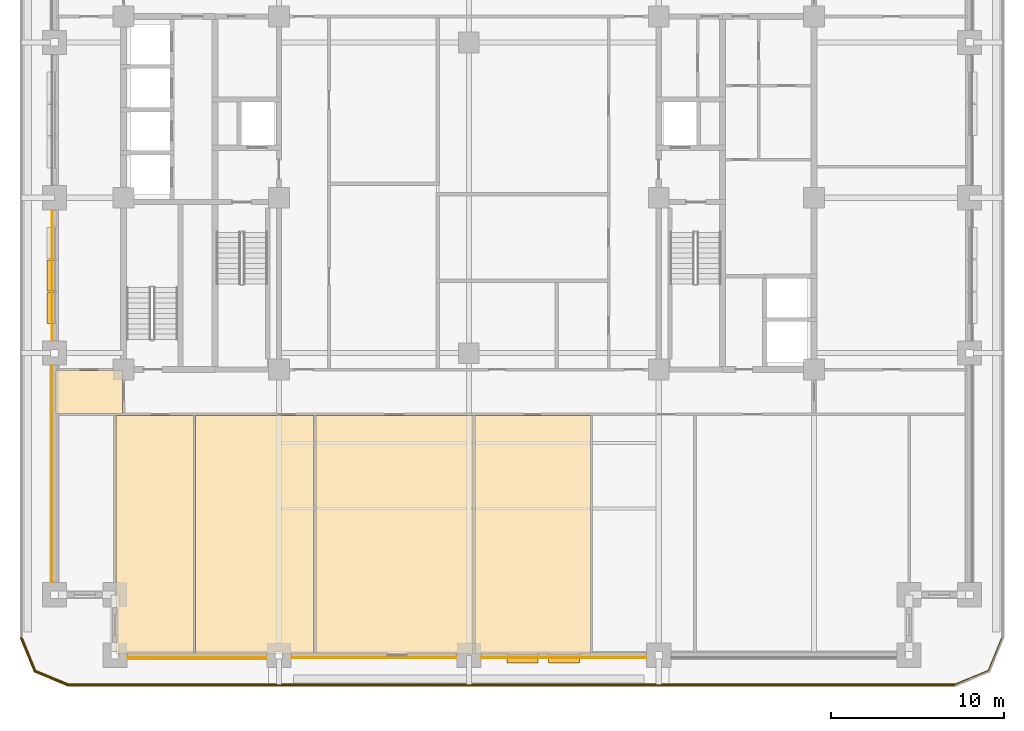
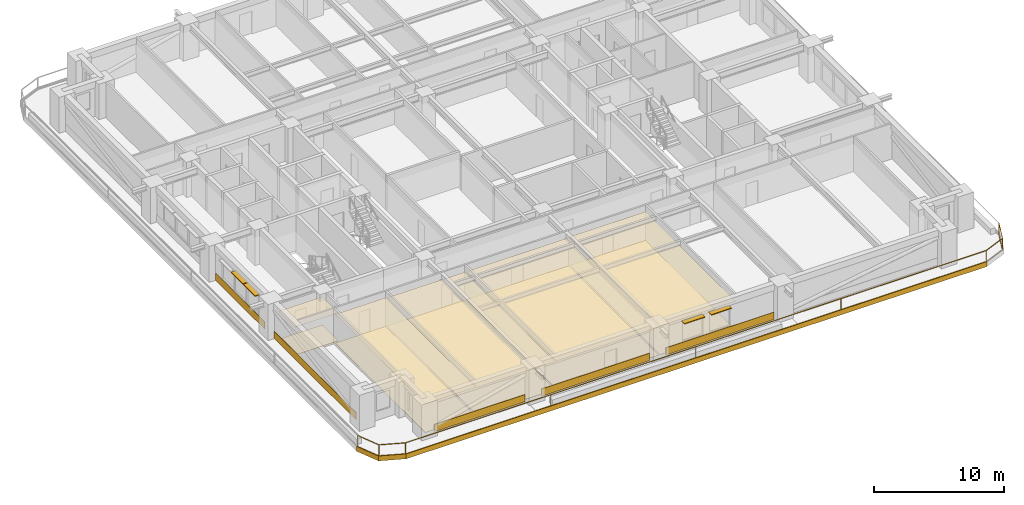
# One storey, part 8 of 15: 18 coverings, 4 shading devices, 1 railing.
"""IFC4 building model written with IfcOpenShell, lengths in metres."""

from ifc_helpers import new_model, si_unit, direction, frame, frame_2d, origin, origin_2d, place, context, subcontext, project, spatial, polyline, rectangle, outline, extrude, material, layer, layer_set, type_object, element, save


model = new_model("IFC4")

# Units and contexts
model_context = context("Model", 3, precision=1e-05, world=origin(), true_north=direction((0.0, 1.0)))
body_context = subcontext(model_context, "Body", "Model", "MODEL_VIEW")
ifc_project = project(units=[si_unit("LENGTHUNIT", "METRE"), si_unit("AREAUNIT", "SQUARE_METRE"), si_unit("VOLUMEUNIT", "CUBIC_METRE"), si_unit("PLANEANGLEUNIT", "RADIAN"), si_unit("MASSUNIT", "GRAM", prefix="KILO")], contexts=[model_context])

# Site, building, storey
site_placement = place(None, origin())
site = spatial("IfcSite", under=ifc_project, at=site_placement, CompositionType="ELEMENT")
building_placement = place(site_placement, origin())
building = spatial("IfcBuilding", under=site, at=building_placement, Name="Zulmaris Gate Convention Tower", CompositionType="ELEMENT")
storey_placement = place(building_placement, frame((0.0, 0.0, 37.909912109375)))
storey = spatial("IfcBuildingStorey", under=building, at=storey_placement, Name="L08", CompositionType="ELEMENT", Elevation=37.909912109375)

# Coverings
ifc_material_1 = material(Name="Precast concrete C40/50", Category="concrete")
ifc_layer_1 = layer(ifc_material_1, 0.0400390625, Name="Precast concrete C40/50")
ifc_layer_set_1 = layer_set([ifc_layer_1], Name="Precast concrete C40/50")
covering_type_1 = type_object("IfcCoveringType", Name="CLAD-SPANDREL-PRECAST", PredefinedType="CLADDING", material=ifc_layer_set_1)
covering_1_placement = place(storey_placement, frame((-19.77001953125, -26.64990234375, 0.0), z_axis=(0.0, 0.0, 1.0), x_axis=(1.0, 0.0, 0.0)))
element("IfcCovering", 1, at=covering_1_placement, inside=storey, type_object=covering_type_1, Name="CLD-L08-S-0_0", PredefinedType="CLADDING", context=body_context, shape_type="SweptSolid", body=[
    extrude(rectangle(XDim=8.0400390625, YDim=0.0400390625, at=frame_2d((4.02001953125, 0.0))), origin(), (0.0, 0.0, 1.0), 0.679931640625),
])
for number, where, z_axis, x_axis, name in (
    (2, (-10.27001953125, -26.64990234375, 0.0), (0.0, 0.0, 1.0), (1.0, 0.0, 0.0), "CLD-L08-S-1_0"),
    (3, (0.72998046875, -26.64990234375, 0.0), (0.0, 0.0, 1.0), (1.0, 0.0, 0.0), "CLD-L08-S-2_0"),
):
    element("IfcCovering", number, at=place(storey_placement, frame(where, z_axis=z_axis, x_axis=x_axis)), inside=storey, type_object=covering_type_1, Name=name, PredefinedType="CLADDING", context=body_context, shape_type="SweptSolid", body=[
        extrude(rectangle(XDim=9.5400390625, YDim=0.0400390625, at=frame_2d((4.77001953125, 0.0))), origin(), (0.0, 0.0, 1.0), 0.679931640625),
    ])
covering_2_placement = place(storey_placement, frame((-24.14990234375, -9.72998046875, 0.0), z_axis=(0.0, 0.0, 1.0), x_axis=(0.0, -1.0, 0.0)))
element("IfcCovering", 4, at=covering_2_placement, inside=storey, type_object=covering_type_1, Name="CLD-L08-W-0_0", PredefinedType="CLADDING", context=body_context, shape_type="SweptSolid", body=[
    extrude(rectangle(XDim=12.5400390625, YDim=0.0400390625, at=frame_2d((6.27001953125, 0.0))), origin(), (0.0, 0.0, 1.0), 0.679931640625),
])
covering_3_placement = place(storey_placement, frame((-24.14990234375, -0.72998046875, 0.0), z_axis=(0.0, 0.0, 1.0), x_axis=(0.0, -1.0, 0.0)))
element("IfcCovering", 5, at=covering_3_placement, inside=storey, type_object=covering_type_1, Name="CLD-L08-W-1_0", PredefinedType="CLADDING", context=body_context, shape_type="SweptSolid", body=[
    extrude(rectangle(XDim=7.5400390625, YDim=0.0400390625, at=frame_2d((3.77001953125, 0.0))), origin(), (0.0, 0.0, 1.0), 0.679931640625),
])
ifc_material_2 = material(Name="White Glazed Architectural Precast Concrete C40/50", Category="concrete")
ifc_layer_2 = layer(ifc_material_2, 0.080078125, Name="White Glazed Architectural Precast Concrete C40/50")
ifc_layer_set_2 = layer_set([ifc_layer_2], Name="White Glazed Architectural Precast Concrete C40/50")
covering_type_2 = type_object("IfcCoveringType", Name="CLAD-TRAY-FASCIA", PredefinedType="CLADDING", material=ifc_layer_set_2)
covering_4_placement = place(storey_placement, frame((-25.962890625, -25.484619140625, -0.340087890625), z_axis=(0.0, 0.0, 1.0), x_axis=(0.382656984709, -0.923890487046, 0.0)))
element("IfcCovering", 6, at=covering_4_placement, inside=storey, type_object=covering_type_2, Name="FSC-L08-TR-00", PredefinedType="CLADDING", context=body_context, shape_type="SweptSolid", body=[
    extrude(rectangle(XDim=2.14306640625, YDim=0.080078125, at=frame_2d((1.071533203125, 0.0))), origin(), (0.0, 0.0, 1.0), 0.4599609375),
])
covering_5_placement = place(storey_placement, frame((-25.16455078125, -27.44287109375, -0.340087890625), z_axis=(0.0, 0.0, 1.0), x_axis=(0.923873803533, -0.382697263049, 0.0)))
element("IfcCovering", 7, at=covering_5_placement, inside=storey, type_object=covering_type_2, Name="FSC-L08-TR-01", PredefinedType="CLADDING", context=body_context, shape_type="SweptSolid", body=[
    extrude(rectangle(XDim=2.142822265625, YDim=0.080078125, at=frame_2d((1.0712890625, 0.0))), origin(), (0.0, 0.0, 1.0), 0.4599609375),
])
covering_6_placement = place(storey_placement, frame((-23.199951171875, -28.260009765625, -0.340087890625), z_axis=(0.0, 0.0, 1.0), x_axis=(1.0, 0.0, 0.0)))
element("IfcCovering", 8, at=covering_6_placement, inside=storey, type_object=covering_type_2, Name="FSC-L08-TR-02", PredefinedType="CLADDING", context=body_context, shape_type="SweptSolid", body=[
    extrude(rectangle(XDim=51.39990234375, YDim=0.080078125, at=frame_2d((25.699951171875, 0.0))), origin(), (0.0, 0.0, 1.0), 0.4599609375),
])
ifc_material_3 = material(Name="Mineral Fibre Acoustic Ceiling Tile")
ifc_layer_3 = layer(ifc_material_3, 0.02001953125, Name="Mineral Fibre Acoustic Ceiling Tile")
ifc_layer_set_3 = layer_set([ifc_layer_3], Name="Mineral Fibre Acoustic Ceiling Tile")
covering_type_3 = type_object("IfcCoveringType", Name="CLG-ACOUSTIC-600", PredefinedType="CEILING", material=ifc_layer_set_3)
covering_7_placement = place(storey_placement, frame((0.0, 0.0, 2.68017578125)))
element("IfcCovering", 9, at=covering_7_placement, inside=storey, type_object=covering_type_3, Name="CLG-L08-R41", PredefinedType="CEILING", context=body_context, shape_type="SweptSolid", body=[
    extrude(outline(polyline([(-20.43994140625, -26.43994140625), (-15.9599609375, -26.43994140625), (-15.9599609375, -12.610107421875), (-20.43994140625, -12.610107421875), (-20.43994140625, -26.43994140625)])), origin(), (0.0, 0.0, 1.0), 0.02001953125),
])
covering_8_placement = place(storey_placement, frame((0.0, 0.0, 2.628173828125)))
element("IfcCovering", 10, at=covering_8_placement, inside=storey, type_object=covering_type_3, Name="CLG-L08-R42", PredefinedType="CEILING", context=body_context, shape_type="SweptSolid", body=[
    extrude(outline(polyline([(-15.840087890625, -26.43994140625), (-8.9599609375, -26.43994140625), (-8.9599609375, -12.610107421875), (-15.840087890625, -12.610107421875), (-15.840087890625, -26.43994140625)])), origin(), (0.0, 0.0, 1.0), 0.02001953125),
])
covering_9_placement = place(storey_placement, frame((0.0, 0.0, 2.628173828125)))
element("IfcCovering", 11, at=covering_9_placement, inside=storey, type_object=covering_type_3, Name="CLG-L08-R43", PredefinedType="CEILING", context=body_context, shape_type="SweptSolid", body=[
    extrude(outline(polyline([(-8.840087890625, -26.43994140625), (0.239990234375, -26.43994140625), (0.239990234375, -12.610107421875), (-8.840087890625, -12.610107421875), (-8.840087890625, -26.43994140625)])), origin(), (0.0, 0.0, 1.0), 0.02001953125),
])
covering_10_placement = place(storey_placement, frame((0.0, 0.0, 2.68017578125)))
element("IfcCovering", 12, at=covering_10_placement, inside=storey, type_object=covering_type_3, Name="CLG-L08-R44", PredefinedType="CEILING", context=body_context, shape_type="SweptSolid", body=[
    extrude(outline(polyline([(0.360107421875, -26.43994140625), (7.0400390625, -26.43994140625), (7.0400390625, -12.610107421875), (0.360107421875, -12.610107421875), (0.360107421875, -26.43994140625)])), origin(), (0.0, 0.0, 1.0), 0.02001953125),
])
covering_11_placement = place(storey_placement, frame((0.0, 0.0, 2.628173828125)))
element("IfcCovering", 13, at=covering_11_placement, inside=storey, type_object=covering_type_3, Name="CLG-L08-R54", PredefinedType="CEILING", context=body_context, shape_type="SweptSolid", body=[
    extrude(outline(polyline([(-23.93994140625, -12.489990234375), (-20.06005859375, -12.489990234375), (-20.06005859375, -10.010009765625), (-23.93994140625, -10.010009765625), (-23.93994140625, -12.489990234375)])), origin(), (0.0, 0.0, 1.0), 0.02001953125),
])
ifc_material_4 = material(Name="Woven Acoustic Wool Carpet Tile")
ifc_layer_4 = layer(ifc_material_4, 0.02001953125, Name="Woven Acoustic Wool Carpet Tile")
ifc_layer_set_4 = layer_set([ifc_layer_4], Name="Woven Acoustic Wool Carpet Tile")
covering_type_4 = type_object("IfcCoveringType", Name="FLR-CARPET-12", PredefinedType="FLOORING", material=ifc_layer_set_4)
covering_12_placement = place(storey_placement, origin())
element("IfcCovering", 14, at=covering_12_placement, inside=storey, type_object=covering_type_4, Name="FLR-L08-R41", PredefinedType="FLOORING", context=body_context, shape_type="SweptSolid", body=[
    extrude(outline(polyline([(-20.43994140625, -26.43994140625), (-15.9599609375, -26.43994140625), (-15.9599609375, -12.610107421875), (-20.43994140625, -12.610107421875), (-20.43994140625, -26.43994140625)])), origin(), (0.0, 0.0, 1.0), 0.02001953125),
])
covering_13_placement = place(storey_placement, origin())
element("IfcCovering", 15, at=covering_13_placement, inside=storey, type_object=covering_type_4, Name="FLR-L08-R42", PredefinedType="FLOORING", context=body_context, shape_type="SweptSolid", body=[
    extrude(outline(polyline([(-15.840087890625, -26.43994140625), (-8.9599609375, -26.43994140625), (-8.9599609375, -12.610107421875), (-15.840087890625, -12.610107421875), (-15.840087890625, -26.43994140625)])), origin(), (0.0, 0.0, 1.0), 0.02001953125),
])
covering_14_placement = place(storey_placement, origin())
element("IfcCovering", 16, at=covering_14_placement, inside=storey, type_object=covering_type_4, Name="FLR-L08-R43", PredefinedType="FLOORING", context=body_context, shape_type="SweptSolid", body=[
    extrude(outline(polyline([(-8.840087890625, -26.43994140625), (0.239990234375, -26.43994140625), (0.239990234375, -12.610107421875), (-8.840087890625, -12.610107421875), (-8.840087890625, -26.43994140625)])), origin(), (0.0, 0.0, 1.0), 0.02001953125),
])
covering_15_placement = place(storey_placement, origin())
element("IfcCovering", 17, at=covering_15_placement, inside=storey, type_object=covering_type_4, Name="FLR-L08-R44", PredefinedType="FLOORING", context=body_context, shape_type="SweptSolid", body=[
    extrude(outline(polyline([(0.360107421875, -26.43994140625), (7.0400390625, -26.43994140625), (7.0400390625, -12.610107421875), (0.360107421875, -12.610107421875), (0.360107421875, -26.43994140625)])), origin(), (0.0, 0.0, 1.0), 0.02001953125),
])
covering_16_placement = place(storey_placement, origin())
element("IfcCovering", 18, at=covering_16_placement, inside=storey, type_object=covering_type_4, Name="FLR-L08-R54", PredefinedType="FLOORING", context=body_context, shape_type="SweptSolid", body=[
    extrude(outline(polyline([(-23.93994140625, -12.489990234375), (-20.06005859375, -12.489990234375), (-20.06005859375, -10.010009765625), (-23.93994140625, -10.010009765625), (-23.93994140625, -12.489990234375)])), origin(), (0.0, 0.0, 1.0), 0.02001953125),
])

# Railing
ifc_material_5 = material(Name="Laminated Glass and Stainless Steel", Category="steel")
railing_type = type_object("IfcRailingType", Name="RL-BALC-1150", PredefinedType="BALUSTRADE", material=ifc_material_5)
railing_placement = place(storey_placement, frame((-25.8798828125, -25.5, -0.0400390625)))
element("IfcRailing", 19, at=railing_placement, inside=storey, type_object=railing_type, Name="RL-L08-BALC-S", PredefinedType="BALUSTRADE", context=body_context, shape_type="SweptSolid", body=[
    extrude(rectangle(XDim=0.048095703125, YDim=0.048095703125, at=origin_2d()), frame((0.0, 0.0, 1.1259765625), z_axis=(0.382670664694, -0.92388482095, 0.0), x_axis=(0.92388482095, 0.382670664694, 0.0)), (0.0, 0.0, 1.0), 2.051025390625),
    extrude(rectangle(XDim=0.048095703125, YDim=0.048095703125, at=origin_2d()), frame((0.0, 0.0, 0.02392578125), z_axis=(0.382670664694, -0.92388482095, 0.0), x_axis=(0.92388482095, 0.382670664694, 0.0)), (0.0, 0.0, 1.0), 2.051025390625),
    extrude(rectangle(XDim=0.048095703125, YDim=0.048095703125, at=origin_2d()), frame((0.784912109375, -1.89501953125, 1.1259765625), z_axis=(0.92388482095, -0.382670664694, 0.0), x_axis=(0.382670664694, 0.92388482095, 0.0)), (0.0, 0.0, 1.0), 2.051025390625),
    extrude(rectangle(XDim=0.048095703125, YDim=0.048095703125, at=origin_2d()), frame((0.784912109375, -1.89501953125, 0.02392578125), z_axis=(0.92388482095, -0.382670664694, 0.0), x_axis=(0.382670664694, 0.92388482095, 0.0)), (0.0, 0.0, 1.0), 2.051025390625),
    extrude(rectangle(XDim=0.048095703125, YDim=0.048095703125, at=origin_2d()), frame((2.679931640625, -2.679931640625, 1.1259765625), z_axis=(1.0, 0.0, 0.0), x_axis=(0.0, 1.0, 0.0)), (0.0, 0.0, 1.0), 51.39990234375),
    extrude(rectangle(XDim=0.048095703125, YDim=0.048095703125, at=origin_2d()), frame((2.679931640625, -2.679931640625, 0.02392578125), z_axis=(1.0, 0.0, 0.0), x_axis=(0.0, 1.0, 0.0)), (0.0, 0.0, 1.0), 51.39990234375),
    extrude(rectangle(XDim=0.048095703125, YDim=0.048095703125, at=origin_2d()), frame((54.079833984375, -2.679931640625, 1.1259765625), z_axis=(0.92388482095, 0.382670664694, 0.0), x_axis=(-0.382670664694, 0.92388482095, 0.0)), (0.0, 0.0, 1.0), 2.051025390625),
    extrude(rectangle(XDim=0.048095703125, YDim=0.048095703125, at=origin_2d()), frame((54.079833984375, -2.679931640625, 0.02392578125), z_axis=(0.92388482095, 0.382670664694, 0.0), x_axis=(-0.382670664694, 0.92388482095, 0.0)), (0.0, 0.0, 1.0), 2.051025390625),
    extrude(rectangle(XDim=0.048095703125, YDim=0.048095703125, at=origin_2d()), frame((55.974853515625, -1.89501953125, 1.1259765625), z_axis=(0.382670664694, 0.92388482095, 0.0), x_axis=(-0.92388482095, 0.382670664694, 0.0)), (0.0, 0.0, 1.0), 2.051025390625),
    extrude(rectangle(XDim=0.048095703125, YDim=0.048095703125, at=origin_2d()), frame((55.974853515625, -1.89501953125, 0.02392578125), z_axis=(0.382670664694, 0.92388482095, 0.0), x_axis=(-0.92388482095, 0.382670664694, 0.0)), (0.0, 0.0, 1.0), 2.051025390625),
    extrude(rectangle(XDim=0.0419921875, YDim=0.0419921875, at=origin_2d()), origin(), (0.0, 0.0, 1.0), 1.101806640625),
    extrude(rectangle(XDim=0.0419921875, YDim=0.0419921875, at=origin_2d()), frame((0.784912109375, -1.89501953125, 0.0)), (0.0, 0.0, 1.0), 1.101806640625),
    extrude(rectangle(XDim=0.0419921875, YDim=0.0419921875, at=origin_2d()), frame((2.679931640625, -2.679931640625, 0.0)), (0.0, 0.0, 1.0), 1.101806640625),
    extrude(rectangle(XDim=0.0419921875, YDim=0.0419921875, at=origin_2d()), frame((15.52978515625, -2.679931640625, 0.0)), (0.0, 0.0, 1.0), 1.101806640625),
    extrude(rectangle(XDim=0.0419921875, YDim=0.0419921875, at=origin_2d()), frame((28.3798828125, -2.679931640625, 0.0)), (0.0, 0.0, 1.0), 1.101806640625),
    extrude(rectangle(XDim=0.0419921875, YDim=0.0419921875, at=origin_2d()), frame((41.22998046875, -2.679931640625, 0.0)), (0.0, 0.0, 1.0), 1.101806640625),
    extrude(rectangle(XDim=0.0419921875, YDim=0.0419921875, at=origin_2d()), frame((54.079833984375, -2.679931640625, 0.0)), (0.0, 0.0, 1.0), 1.101806640625),
    extrude(rectangle(XDim=0.0419921875, YDim=0.0419921875, at=origin_2d()), frame((55.974853515625, -1.89501953125, 0.0)), (0.0, 0.0, 1.0), 1.101806640625),
    extrude(rectangle(XDim=0.0419921875, YDim=0.0419921875, at=origin_2d()), frame((56.759765625, 0.0, 0.0)), (0.0, 0.0, 1.0), 1.101806640625),
])

# Shading devices
ifc_material_6 = material(Name="Glazed Ceramic Terracotta", Category="masonry")
ifc_layer_5 = layer(ifc_material_6, 0.070068359375, Name="Glazed Ceramic Terracotta")
ifc_layer_set_5 = layer_set([ifc_layer_5], Name="Glazed Ceramic Terracotta")
shading_device_type = type_object("IfcShadingDeviceType", Name="SHD-SUNSHADE-TC", PredefinedType="AWNING", material=ifc_layer_set_5)
for number, where, z_axis, x_axis, name in (
    (20, (2.215087890625, -26.719970703125, 2.530029296875), (0.0, 0.0, 1.0), (1.0, 0.0, 0.0), "SHD-EW-L08-S-2_0-1"),
    (21, (4.60009765625, -26.719970703125, 2.530029296875), (0.0, 0.0, 1.0), (1.0, 0.0, 0.0), "SHD-EW-L08-S-2_0-2"),
    (22, (-24.219970703125, -3.60009765625, 2.530029296875), (0.0, 0.0, 1.0), (0.0, -1.0, 0.0), "SHD-EW-L08-W-1_0-2"),
    (23, (-24.219970703125, -5.485107421875, 2.530029296875), (0.0, 0.0, 1.0), (0.0, -1.0, 0.0), "SHD-EW-L08-W-1_0-3"),
):
    element("IfcShadingDevice", number, at=place(storey_placement, frame(where, z_axis=z_axis, x_axis=x_axis)), inside=storey, type_object=shading_device_type, Name=name, PredefinedType="AWNING", context=body_context, shape_type="SweptSolid", body=[
        extrude(rectangle(XDim=1.7998046875, YDim=0.43994140625, at=frame_2d((0.89990234375, 0.0))), origin(), (0.0, 0.0, 1.0), 0.070068359375),
    ])

save(model, "model.ifc")
